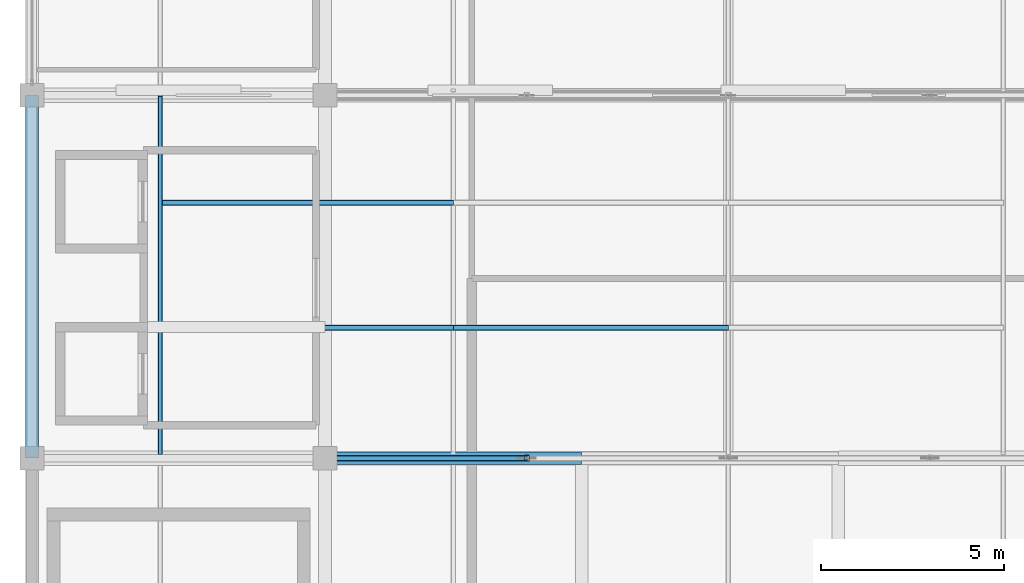
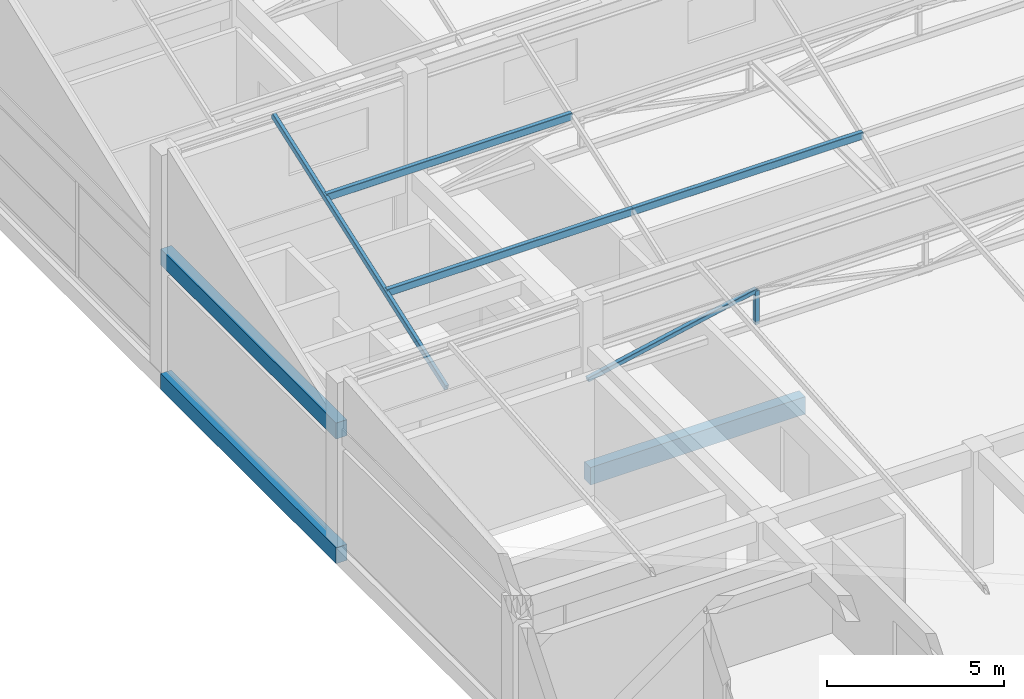
# One storey, part 2 of 35: 6 members, 3 beams.
"""IFC4 building model written with IfcOpenShell, lengths in metres."""

import ifcopenshell
import ifcopenshell.guid

model = None  # the IFC model being written
_history = None  # IfcOwnerHistory: only IFC2X3 demands one
_inside = {}  # id of a spatial element -> (the spatial element, [elements in it])
_under = {}  # id of a project, library or spatial element -> (it, [spatial elements below it])
_declared = {}  # id of a project -> (the project, [libraries it declares])
_typed = {}  # id of a type object -> (the type object, [elements of that type])
_made_of = {}  # id of a material, layer set ... -> (it, [elements and type objects made of it])


def new_model(schema):
    """Start an empty IFC model of exactly this schema.

    Asked for "IFC4X3", IfcOpenShell would pick the latest addendum, in which some entities
    have other attributes; the version numbers below select the first issue.
    IFC2X3 requires an IfcOwnerHistory on every rooted entity: one is made here for all.
    """
    global model, _history
    if schema == "IFC4X3":
        model = ifcopenshell.file(schema_version=(4, 3, 0, 0))
    else:
        model = ifcopenshell.file(schema=schema)
    _inside.clear()
    _under.clear()
    _declared.clear()
    _typed.clear()
    _made_of.clear()
    _history = None
    if model.schema == "IFC2X3":
        org = make("IfcOrganization", Name="unknown")
        user = make(
            "IfcPersonAndOrganization",
            ThePerson=make("IfcPerson", FamilyName="unknown"),
            TheOrganization=org,
        )
        app = make(
            "IfcApplication",
            ApplicationDeveloper=org,
            Version="unknown",
            ApplicationFullName="unknown",
            ApplicationIdentifier="unknown",
        )
        _history = make(
            "IfcOwnerHistory",
            OwningUser=user,
            OwningApplication=app,
            ChangeAction="ADDED",
            CreationDate=0,
        )
    return model


def make(cls, **values):
    """One entity of the class cls with the attributes given. An attribute that is None is left unset."""
    return model.create_entity(
        cls, **{name: value for name, value in values.items() if value is not None}
    )


def rooted(cls, **values):
    """An entity with a GlobalId (a new one), such as an element, a storey or a relation."""
    return make(cls, GlobalId=ifcopenshell.guid.new(), OwnerHistory=_history, **values)


def si_unit(unit_type, name, prefix=None):
    """IfcSIUnit, for example si_unit("LENGTHUNIT", "METRE", prefix="MILLI")."""
    return make("IfcSIUnit", UnitType=unit_type, Prefix=prefix, Name=name)


def assignment(units):
    """IfcUnitAssignment: the units of a project."""
    return None if units is None else make("IfcUnitAssignment", Units=units)


def point(xyz):
    """IfcCartesianPoint."""
    return None if xyz is None else make("IfcCartesianPoint", Coordinates=xyz)


def direction(xyz):
    """IfcDirection."""
    return None if xyz is None else make("IfcDirection", DirectionRatios=xyz)


def frame(location, z_axis=None, x_axis=None):
    """IfcAxis2Placement3D, a coordinate frame: its origin and axes. An axis left out is left unset."""
    return make(
        "IfcAxis2Placement3D",
        Location=point(location),
        Axis=direction(z_axis),
        RefDirection=direction(x_axis),
    )


def frame_2d(location, x_axis=None):
    """IfcAxis2Placement2D, a coordinate frame in the plane: its origin and x axis."""
    return make(
        "IfcAxis2Placement2D", Location=point(location), RefDirection=direction(x_axis)
    )


def origin():
    """The frame at (0, 0, 0) with its axes left unset."""
    return frame((0.0, 0.0, 0.0))


def origin_2d():
    """The frame at (0, 0) in the plane with its x axis left unset."""
    return frame_2d((0.0, 0.0))


def place(relative_to, where):
    """IfcLocalPlacement: puts the frame where relative to a parent placement (None: the world)."""
    return make(
        "IfcLocalPlacement", PlacementRelTo=relative_to, RelativePlacement=where
    )


def context(
    kind, dimensions, precision=None, world=None, true_north=None, identifier=None
):
    """IfcGeometricRepresentationContext, for example the 3D "Model" context."""
    return make(
        "IfcGeometricRepresentationContext",
        ContextIdentifier=identifier,
        ContextType=kind,
        CoordinateSpaceDimension=dimensions,
        Precision=precision,
        WorldCoordinateSystem=world,
        TrueNorth=true_north,
    )


def subcontext(parent, identifier, kind, view, scale=None):
    """IfcGeometricRepresentationSubContext, for example "Body" below "Model"."""
    return make(
        "IfcGeometricRepresentationSubContext",
        ContextIdentifier=identifier,
        ContextType=kind,
        ParentContext=parent,
        TargetScale=scale,
        TargetView=view,
    )


def project(units=None, contexts=None):
    """IfcProject with its units and contexts."""
    return rooted(
        "IfcProject",
        Name="project",
        RepresentationContexts=contexts,
        UnitsInContext=assignment(units),
    )


def spatial(cls, under=None, at=None, **own):
    """A site, building, storey or space (cls), placed at a placement, below another one or the project."""
    s = rooted(cls, ObjectPlacement=at, **own)
    if under is not None:
        _under.setdefault(under.id(), (under, []))[1].append(s)
    return s


def profile(cls, at=None, kind="AREA", **sizes):
    """A parametric profile (cls). Its sizes go by their IFC names, for example OverallWidth=200.0."""
    return make(cls, ProfileType=kind, Position=at, **sizes)


def rectangle(**sizes):
    """IfcRectangleProfileDef."""
    return profile("IfcRectangleProfileDef", **sizes)


def hollow_rectangle(**sizes):
    """IfcRectangleHollowProfileDef."""
    return profile("IfcRectangleHollowProfileDef", **sizes)


def extrude(swept, where, along, depth):
    """IfcExtrudedAreaSolid: the profile swept, set in the frame where, extruded along a direction by depth."""
    return make(
        "IfcExtrudedAreaSolid",
        SweptArea=swept,
        Position=where,
        ExtrudedDirection=direction(along),
        Depth=depth,
    )


def shape(context_of_items, identifier, shape_type, items):
    """IfcShapeRepresentation: the items that make up one representation, for example the "Body"."""
    return make(
        "IfcShapeRepresentation",
        ContextOfItems=context_of_items,
        RepresentationIdentifier=identifier,
        RepresentationType=shape_type,
        Items=items,
    )


def material(Name=None, Category=None):
    """IfcMaterial."""
    return make("IfcMaterial", Name=Name, Category=Category)


def material_profile(
    of_material, cross_section, Name=None, Category=None, Priority=None
):
    """IfcMaterialProfile: a cross section and its material."""
    return make(
        "IfcMaterialProfile",
        Name=Name,
        Material=of_material,
        Profile=cross_section,
        Priority=Priority,
        Category=Category,
    )


def profile_set(profiles, Name=None, composite=None):
    """IfcMaterialProfileSet."""
    return make(
        "IfcMaterialProfileSet",
        Name=Name,
        MaterialProfiles=profiles,
        CompositeProfile=composite,
    )


def made_of(thing, what):
    """Note that an element or type object is made of a material, layer set ...; save() writes the relation."""
    if what is not None:
        _made_of.setdefault(what.id(), (what, []))[1].append(thing)
    return thing


def type_object(cls, material=None, **own):
    """A type object (cls), such as IfcWallType, which elements share."""
    return made_of(rooted(cls, **own), material)


def element(
    cls,
    number,
    at=None,
    inside=None,
    cuts=None,
    type_object=None,
    material=None,
    context=None,
    identifier="Body",
    shape_type=None,
    held_by="IfcProductDefinitionShape",
    body=None,
    shapes=None,
    **own,
):
    """One element of the class cls, such as IfcWall. Its Tag is "e" and its number.

    at: its placement. inside: the storey or other place that contains it. cuts: it is an
    opening in that element (IfcRelVoidsElement). A single representation is given by context,
    identifier, shape_type and body (its items); several are given by shapes. held_by: the class
    of the entity that holds the representations. save() writes the other relations.
    """
    e = rooted(cls, Tag="e%d" % number, ObjectPlacement=at, **own)
    if body is not None:
        shapes = [shape(context, identifier, shape_type, body)]
    if shapes is not None:
        e.Representation = make(held_by, Representations=shapes)
    if inside is not None:
        _inside.setdefault(inside.id(), (inside, []))[1].append(e)
    if cuts is not None:
        rooted(
            "IfcRelVoidsElement", RelatingBuildingElement=cuts, RelatedOpeningElement=e
        )
    if type_object is not None:
        _typed.setdefault(type_object.id(), (type_object, []))[1].append(e)
    return made_of(e, material)


def aggregate(whole, parts):
    """IfcRelAggregates: a whole, such as a stair, and the parts it consists of."""
    return rooted("IfcRelAggregates", RelatingObject=whole, RelatedObjects=parts)


def save(model, path):
    """Write the relations noted so far, then the file.

    IfcRelAggregates (storeys below a building ...), IfcRelContainedInSpatialStructure (elements
    in a storey), IfcRelDefinesByType, IfcRelAssociatesMaterial and IfcRelDeclares: one each for
    every whole, place, type object, material and project.
    """
    for whole, parts in _under.values():
        aggregate(whole, parts)
    for where, things in _inside.values():
        rooted(
            "IfcRelContainedInSpatialStructure",
            RelatedElements=things,
            RelatingStructure=where,
        )
    for kind, things in _typed.values():
        rooted("IfcRelDefinesByType", RelatedObjects=things, RelatingType=kind)
    for what, things in _made_of.values():
        rooted("IfcRelAssociatesMaterial", RelatedObjects=things, RelatingMaterial=what)
    for by, libraries in _declared.values():
        rooted("IfcRelDeclares", RelatingContext=by, RelatedDefinitions=libraries)
    model.write(path)


model = new_model("IFC4")

# Units and contexts
model_context = context("Model", 3, precision=1e-05, world=origin(), true_north=direction((0.0, 1.0)))
body_context = subcontext(model_context, "Body", "Model", "MODEL_VIEW")
ifc_project = project(units=[si_unit("LENGTHUNIT", "METRE"), si_unit("AREAUNIT", "SQUARE_METRE"), si_unit("VOLUMEUNIT", "CUBIC_METRE"), si_unit("PLANEANGLEUNIT", "RADIAN"), si_unit("MASSUNIT", "GRAM", prefix="KILO")], contexts=[model_context])

# Site, building, storey
site_placement = place(None, origin())
site = spatial("IfcSite", under=ifc_project, at=site_placement, CompositionType="ELEMENT")
building_placement = place(site_placement, origin())
building = spatial("IfcBuilding", under=site, at=building_placement, Name="Sillaruma Civic Art Gallery", CompositionType="ELEMENT")
storey_placement = place(building_placement, frame((0.0, 0.0, 74.4599609375)))
storey = spatial("IfcBuildingStorey", under=building, at=storey_placement, Name="L15", CompositionType="ELEMENT", Elevation=74.4599609375)

# Beams
ifc_material_1 = material(Name="Concrete H35 (35 MPa)", Category="concrete")
ifc_material_profile_1 = material_profile(ifc_material_1, rectangle(XDim=0.35009765625, YDim=0.60009765625, at=origin_2d()), Name="RCB350x600")
ifc_profile_set_1 = profile_set([ifc_material_profile_1], Name="Concrete H35 (35 MPa)")
beam_type_1 = type_object("IfcBeamType", Name="BM-BEAM-RCB350x600", PredefinedType="BEAM", material=ifc_profile_set_1)
beam_1_placement = place(storey_placement, frame((70.0, 39.60009765625, -0.550048828125), z_axis=(1.0, 0.0, 0.0), x_axis=(0.0, 1.0, 0.0)))
element("IfcBeam", 1, at=beam_1_placement, inside=storey, type_object=beam_type_1, Name="Beam BM-06 (L14:5:G-H)", PredefinedType="BEAM", context=body_context, shape_type="SweptSolid", body=[
    extrude(rectangle(XDim=0.35009765625, YDim=0.60009765625, at=origin_2d()), origin(), (0.0, 0.0, 1.0), 7.0),
])
ifc_material_profile_2 = material_profile(ifc_material_1, rectangle(XDim=0.35009765625, YDim=0.550048828125, at=origin_2d()), Name="RCB350x550")
ifc_profile_set_2 = profile_set([ifc_material_profile_2], Name="Concrete H35 (35 MPa)")
beam_type_2 = type_object("IfcBeamType", Name="BM-ROF-RCB350x550", PredefinedType="SPANDREL", material=ifc_profile_set_2)
beam_2_placement = place(storey_placement, frame((62.0, 39.60009765625, 3.76513671875), z_axis=(0.0, 1.0, 0.0), x_axis=(-1.0, 0.0, 0.0)))
element("IfcBeam", 2, at=beam_2_placement, inside=storey, type_object=beam_type_2, Name="Beam BSR-04 (L15:F:5-6)", PredefinedType="SPANDREL", context=body_context, shape_type="SweptSolid", body=[
    extrude(rectangle(XDim=0.35009765625, YDim=0.550048828125, at=origin_2d()), origin(), (0.0, 0.0, 1.0), 9.89990234375),
])
ifc_material_profile_3 = material_profile(ifc_material_1, rectangle(XDim=0.35009765625, YDim=0.550048828125, at=origin_2d()), Name="RCB350x550")
ifc_profile_set_3 = profile_set([ifc_material_profile_3], Name="Concrete H35 (35 MPa)")
beam_type_3 = type_object("IfcBeamType", Name="BM-SPANDREL-RCB350x550", PredefinedType="SPANDREL", material=ifc_profile_set_3)
beam_3_placement = place(storey_placement, frame((62.0, 39.60009765625, -0.52490234375), z_axis=(0.0, 1.0, 0.0), x_axis=(-1.0, 0.0, 0.0)))
element("IfcBeam", 3, at=beam_3_placement, inside=storey, type_object=beam_type_3, Name="Beam BS-04 (L14:F:5-6)", PredefinedType="SPANDREL", context=body_context, shape_type="SweptSolid", body=[
    extrude(rectangle(XDim=0.35009765625, YDim=0.550048828125, at=origin_2d()), origin(), (0.0, 0.0, 1.0), 9.89990234375),
])

# Members
ifc_material_2 = material(Name="Structural Steel ASTM A500 Gr.C", Category="steel")
ifc_material_profile_4 = material_profile(ifc_material_2, hollow_rectangle(XDim=0.14990234375, YDim=0.14990234375, WallThickness=0.010009765625, InnerFilletRadius=0.010009765625, OuterFilletRadius=0.02001953125, at=origin_2d()), Name="HSS150x150x10")
ifc_profile_set_4 = profile_set([ifc_material_profile_4], Name="Structural Steel ASTM A500 Gr.C")
member_type_1 = type_object("IfcMemberType", Name="MEM-BRACE-HSS150x150x10", PredefinedType="BRACE", material=ifc_profile_set_4)
member_1_placement = place(storey_placement, frame((70.0, 39.60009765625, 2.699951171875), z_axis=(0.978538722809, 0.0, 0.206063019398), x_axis=(0.0, 1.0, 0.0)))
element("IfcMember", 4, at=member_1_placement, inside=storey, type_object=member_type_1, Name="Warren Truss Diagonal TR-L15-1-D1", PredefinedType="BRACE", context=body_context, shape_type="SweptSolid", body=[
    extrude(hollow_rectangle(XDim=0.14990234375, YDim=0.14990234375, WallThickness=0.010009765625, InnerFilletRadius=0.010009765625, OuterFilletRadius=0.02001953125, at=origin_2d()), origin(), (0.0, 0.0, 1.0), 5.62060546875),
])
ifc_material_profile_5 = material_profile(ifc_material_2, hollow_rectangle(XDim=0.14990234375, YDim=0.14990234375, WallThickness=0.010009765625, InnerFilletRadius=0.010009765625, OuterFilletRadius=0.02001953125, at=origin_2d()), Name="HSS150x150x10")
ifc_profile_set_5 = profile_set([ifc_material_profile_5], Name="Structural Steel ASTM A500 Gr.C")
member_type_2 = type_object("IfcMemberType", Name="MEM-POST-HSS150x150x10", PredefinedType="POST", material=ifc_profile_set_5)
member_2_placement = place(storey_placement, frame((75.5, 39.60009765625, 2.699951171875), z_axis=(0.0, 0.0, 1.0), x_axis=(1.0, 0.0, 0.0)))
element("IfcMember", 5, at=member_2_placement, inside=storey, type_object=member_type_2, Name="Warren Truss Vertical Post TR-L15-1-V1", PredefinedType="POST", context=body_context, shape_type="SweptSolid", body=[
    extrude(hollow_rectangle(XDim=0.14990234375, YDim=0.14990234375, WallThickness=0.010009765625, InnerFilletRadius=0.010009765625, OuterFilletRadius=0.02001953125, at=origin_2d()), origin(), (0.0, 0.0, 1.0), 1.158203125),
])
ifc_material_profile_6 = material_profile(ifc_material_2, hollow_rectangle(XDim=0.14990234375, YDim=0.25, WallThickness=0.010009765625, InnerFilletRadius=0.010009765625, OuterFilletRadius=0.02001953125, at=origin_2d()), Name="HSS250x150x10")
ifc_profile_set_6 = profile_set([ifc_material_profile_6], Name="Structural Steel ASTM A500 Gr.C")
member_type_3 = type_object("IfcMemberType", Name="MEM-PUR-HSS250", PredefinedType="PURLIN", material=ifc_profile_set_6)
member_3_placement = place(storey_placement, frame((65.5, 43.156005859375, 5.111083984375), z_axis=(1.0, 0.0, 0.0), x_axis=(0.0, 1.0, 0.0)))
element("IfcMember", 6, at=member_3_placement, inside=storey, type_object=member_type_3, Name="Sawtooth Roof Steel Purlin (1.1.1)", PredefinedType="PURLIN", context=body_context, shape_type="SweptSolid", body=[
    extrude(hollow_rectangle(XDim=0.14990234375, YDim=0.25, WallThickness=0.010009765625, InnerFilletRadius=0.010009765625, OuterFilletRadius=0.02001953125, at=origin_2d()), origin(), (0.0, 0.0, 1.0), 8.0),
])
member_4_placement = place(storey_placement, frame((73.5, 43.156005859375, 5.111083984375), z_axis=(1.0, 0.0, 0.0), x_axis=(0.0, 1.0, 0.0)))
element("IfcMember", 7, at=member_4_placement, inside=storey, type_object=member_type_3, Name="Sawtooth Roof Steel Purlin (1.1.2)", PredefinedType="PURLIN", context=body_context, shape_type="SweptSolid", body=[
    extrude(hollow_rectangle(XDim=0.14990234375, YDim=0.25, WallThickness=0.010009765625, InnerFilletRadius=0.010009765625, OuterFilletRadius=0.02001953125, at=origin_2d()), origin(), (0.0, 0.0, 1.0), 7.5),
])
member_5_placement = place(storey_placement, frame((65.5, 46.572021484375, 6.322021484375), z_axis=(1.0, 0.0, 0.0), x_axis=(0.0, 1.0, 0.0)))
element("IfcMember", 8, at=member_5_placement, inside=storey, type_object=member_type_3, Name="Sawtooth Roof Steel Purlin (1.2.1)", PredefinedType="PURLIN", context=body_context, shape_type="SweptSolid", body=[
    extrude(hollow_rectangle(XDim=0.14990234375, YDim=0.25, WallThickness=0.010009765625, InnerFilletRadius=0.010009765625, OuterFilletRadius=0.02001953125, at=origin_2d()), origin(), (0.0, 0.0, 1.0), 8.0),
])
ifc_material_profile_7 = material_profile(ifc_material_2, hollow_rectangle(XDim=0.1201171875, YDim=0.199951171875, WallThickness=0.008056640625, InnerFilletRadius=0.008056640625, OuterFilletRadius=0.01611328125, at=origin_2d()), Name="HSS200x120x8")
ifc_profile_set_7 = profile_set([ifc_material_profile_7], Name="Structural Steel ASTM A500 Gr.C")
member_type_4 = type_object("IfcMemberType", Name="MEM-RAF-HSS200", PredefinedType="PURLIN", material=ifc_profile_set_7)
member_6_placement = place(storey_placement, frame((65.5, 39.739990234375, 3.900146484375), z_axis=(0.0, 0.942527174953, 0.33412950255), x_axis=(-1.0, 0.0, 0.0)))
element("IfcMember", 9, at=member_6_placement, inside=storey, type_object=member_type_4, Name="Sawtooth Sloped Steel Rafter (1-FW)", PredefinedType="PURLIN", context=body_context, shape_type="SweptSolid", body=[
    extrude(hollow_rectangle(XDim=0.1201171875, YDim=0.199951171875, WallThickness=0.008056640625, InnerFilletRadius=0.008056640625, OuterFilletRadius=0.01611328125, at=origin_2d()), origin(), (0.0, 0.0, 1.0), 10.355224609375),
])

save(model, "model.ifc")
